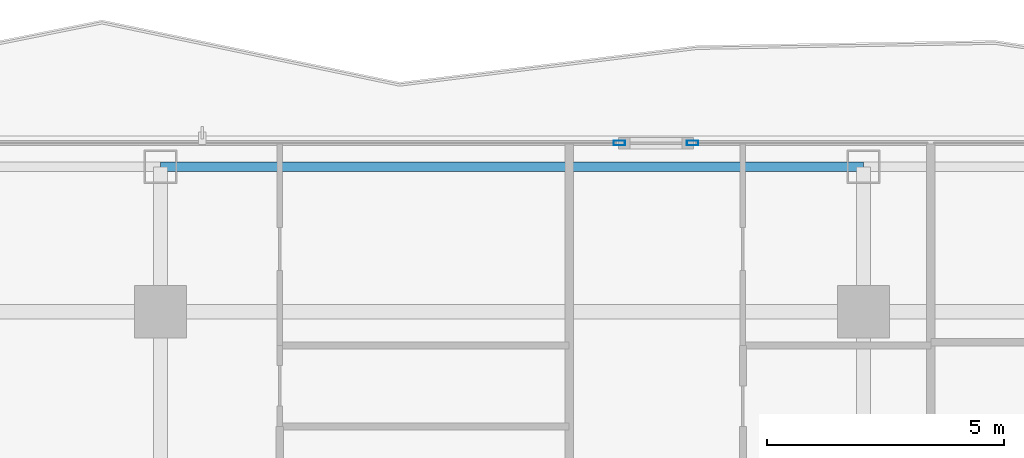
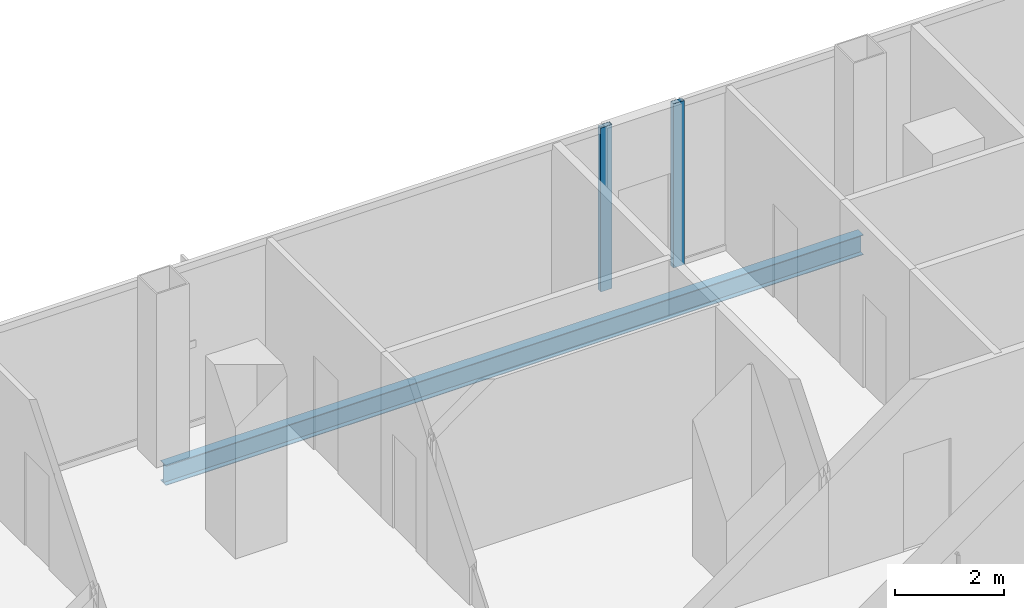
# One storey, part 12 of 29: 2 members, 1 beam, 2 elements without a shape of their own.
"""IFC4 building model written with IfcOpenShell, lengths in metres."""

from ifc_helpers import new_model, si_unit, direction, frame, origin, origin_2d, place, context, subcontext, project, spatial, hollow_rectangle, i_section, extrude, material, layer, layer_set, material_profile, profile_set, type_object, element, aggregate, save


model = new_model("IFC4")

# Units and contexts
model_context = context("Model", 3, precision=1e-05, world=origin(), true_north=direction((0.0, 1.0)))
body_context = subcontext(model_context, "Body", "Model", "MODEL_VIEW")
ifc_project = project(units=[si_unit("LENGTHUNIT", "METRE"), si_unit("AREAUNIT", "SQUARE_METRE"), si_unit("VOLUMEUNIT", "CUBIC_METRE"), si_unit("PLANEANGLEUNIT", "RADIAN"), si_unit("MASSUNIT", "GRAM", prefix="KILO")], contexts=[model_context])

# Site, building, storey
site_placement = place(None, origin())
site = spatial("IfcSite", under=ifc_project, at=site_placement, CompositionType="ELEMENT")
building_placement = place(site_placement, origin())
building = spatial("IfcBuilding", under=site, at=building_placement, Name="Khorvyn Point Tower", CompositionType="ELEMENT")
storey_placement = place(building_placement, frame((0.0, 0.0, 144.60009765625)))
storey = spatial("IfcBuildingStorey", under=building, at=storey_placement, Name="L36", CompositionType="ELEMENT", Elevation=144.60009765625)

# Curtain wall, member
ifc_material_1 = material(Name="Anodised aluminium 6063-T6 and laminated Low-E glass", Category="aluminium")
ifc_layer = layer(ifc_material_1, 0.18994140625)
ifc_layer_set = layer_set([ifc_layer], Name="Stick-Built Acoustic Curtain Wall CW-SYS-03")
curtain_wall_type = type_object("IfcCurtainWallType", Name="Stick-Built Acoustic Curtain Wall CW-SYS-03", PredefinedType="NOTDEFINED", material=ifc_layer_set)
curtain_wall_1_placement = place(storey_placement, origin())
curtain_wall_1 = element("IfcCurtainWall", 1, at=curtain_wall_1_placement, inside=storey, type_object=curtain_wall_type, Name="Curtain Wall", PredefinedType="NOTDEFINED")
ifc_material_2 = material(Name="Anodised aluminium 6063-T6", Category="aluminium")
ifc_material_profile_1 = material_profile(ifc_material_2, hollow_rectangle(XDim=0.10009765625, YDim=0.239990234375, WallThickness=0.0048828125, at=origin_2d()))
ifc_profile_set_1 = profile_set([ifc_material_profile_1], Name="Anodised aluminium 6063-T6 ALU-MUL-100x240")
member_type = type_object("IfcMemberType", Name="Anodised Aluminium 6063-T6 Mullion ALU-MUL-100x240", PredefinedType="MULLION", material=ifc_profile_set_1)
member_1_placement = place(storey_placement, frame((2.261962890625, 23.64990234375, 0.0), z_axis=(0.0, 0.0, 1.0), x_axis=(0.0, 1.0, 0.0)))
member_1 = element("IfcMember", 2, at=member_1_placement, type_object=member_type, Name="Transom", PredefinedType="MULLION", context=body_context, shape_type="SweptSolid", body=[
    extrude(hollow_rectangle(XDim=0.10009765625, YDim=0.239990234375, WallThickness=0.0048828125, at=origin_2d()), origin(), (0.0, 0.0, 1.0), 3.679931640625),
])
aggregate(curtain_wall_1, [member_1])

curtain_wall_2_placement = place(storey_placement, origin())
curtain_wall_2 = element("IfcCurtainWall", 3, at=curtain_wall_2_placement, inside=storey, type_object=curtain_wall_type, Name="Curtain Wall", PredefinedType="NOTDEFINED")
member_2_placement = place(storey_placement, frame((3.802001953125, 23.64990234375, 0.0), z_axis=(0.0, 0.0, 1.0), x_axis=(0.0, 1.0, 0.0)))
member_2 = element("IfcMember", 4, at=member_2_placement, type_object=member_type, Name="Transom", PredefinedType="MULLION", context=body_context, shape_type="SweptSolid", body=[
    extrude(hollow_rectangle(XDim=0.10009765625, YDim=0.239990234375, WallThickness=0.0048828125, at=origin_2d()), origin(), (0.0, 0.0, 1.0), 3.679931640625),
])
aggregate(curtain_wall_2, [member_2])

# Beam
ifc_material_3 = material(Name="Steel S355", Category="steel")
ifc_material_profile_2 = material_profile(ifc_material_3, i_section(OverallWidth=0.199951171875, OverallDepth=0.449951171875, WebThickness=0.009033203125, FlangeThickness=0.013916015625, at=origin_2d()))
ifc_profile_set_2 = profile_set([ifc_material_profile_2], Name="Steel S355 H450x200x9x14")
beam_type = type_object("IfcBeamType", Name="Steel S355 Spandrel H450x200x9x14", PredefinedType="SPANDREL", material=ifc_profile_set_2)
beam_placement = place(storey_placement, frame((-7.39990234375, 23.14990234375, -0.445068359375), z_axis=(1.0, 0.0, 0.0), x_axis=(0.0, 1.0, 0.0)))
element("IfcBeam", 5, at=beam_placement, inside=storey, type_object=beam_type, Name="Beam", PredefinedType="SPANDREL", context=body_context, shape_type="SweptSolid", body=[
    extrude(i_section(OverallWidth=0.199951171875, OverallDepth=0.449951171875, WebThickness=0.009033203125, FlangeThickness=0.013916015625, at=origin_2d()), origin(), (0.0, 0.0, 1.0), 14.7998046875),
])

save(model, "model.ifc")
